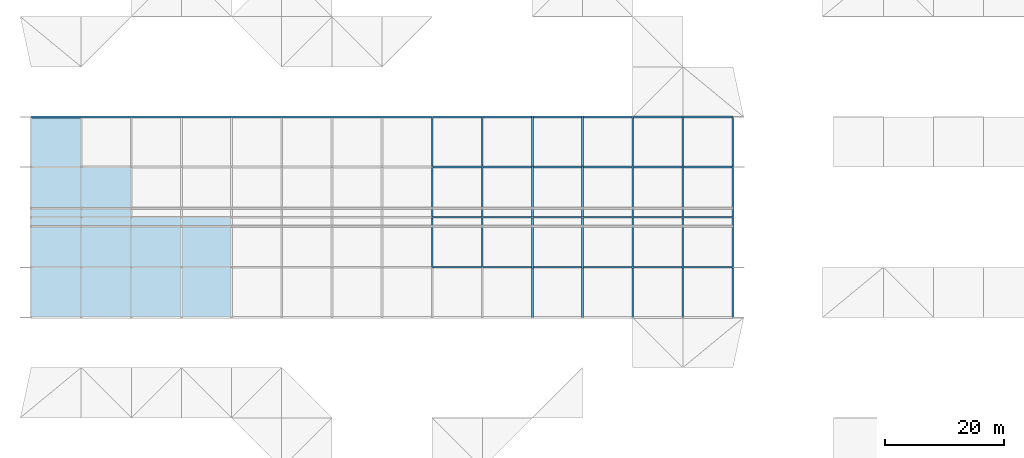
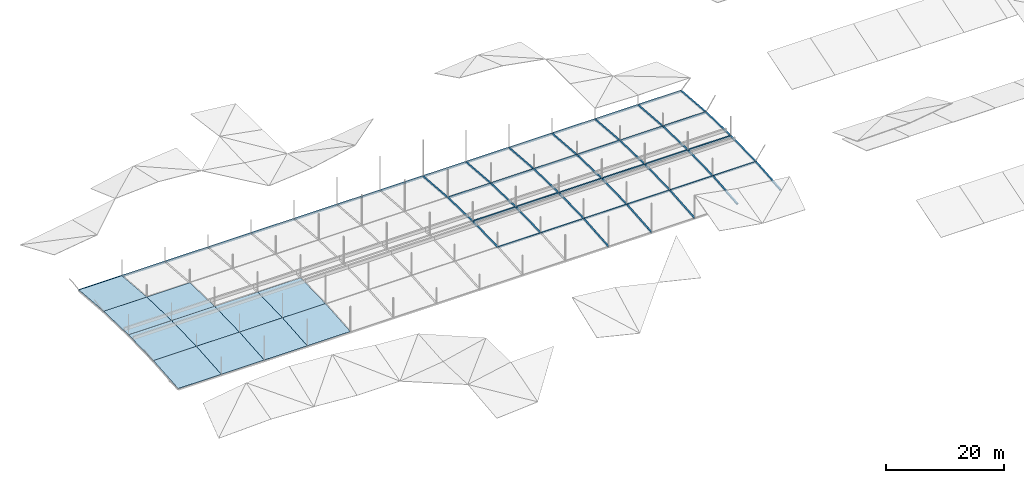
# One storey, part 2 of 37: 58 members, 11 slabs.
"""IFC4 building model written with IfcOpenShell, lengths in metres."""

import ifcopenshell
import ifcopenshell.guid

model = None  # the IFC model being written
_history = None  # IfcOwnerHistory: only IFC2X3 demands one
_inside = {}  # id of a spatial element -> (the spatial element, [elements in it])
_under = {}  # id of a project, library or spatial element -> (it, [spatial elements below it])
_declared = {}  # id of a project -> (the project, [libraries it declares])
_typed = {}  # id of a type object -> (the type object, [elements of that type])
_made_of = {}  # id of a material, layer set ... -> (it, [elements and type objects made of it])


def new_model(schema):
    """Start an empty IFC model of exactly this schema.

    Asked for "IFC4X3", IfcOpenShell would pick the latest addendum, in which some entities
    have other attributes; the version numbers below select the first issue.
    IFC2X3 requires an IfcOwnerHistory on every rooted entity: one is made here for all.
    """
    global model, _history
    if schema == "IFC4X3":
        model = ifcopenshell.file(schema_version=(4, 3, 0, 0))
    else:
        model = ifcopenshell.file(schema=schema)
    _inside.clear()
    _under.clear()
    _declared.clear()
    _typed.clear()
    _made_of.clear()
    _history = None
    if model.schema == "IFC2X3":
        org = make("IfcOrganization", Name="unknown")
        user = make(
            "IfcPersonAndOrganization",
            ThePerson=make("IfcPerson", FamilyName="unknown"),
            TheOrganization=org,
        )
        app = make(
            "IfcApplication",
            ApplicationDeveloper=org,
            Version="unknown",
            ApplicationFullName="unknown",
            ApplicationIdentifier="unknown",
        )
        _history = make(
            "IfcOwnerHistory",
            OwningUser=user,
            OwningApplication=app,
            ChangeAction="ADDED",
            CreationDate=0,
        )
    return model


def make(cls, **values):
    """One entity of the class cls with the attributes given. An attribute that is None is left unset."""
    return model.create_entity(
        cls, **{name: value for name, value in values.items() if value is not None}
    )


def rooted(cls, **values):
    """An entity with a GlobalId (a new one), such as an element, a storey or a relation."""
    return make(cls, GlobalId=ifcopenshell.guid.new(), OwnerHistory=_history, **values)


def si_unit(unit_type, name, prefix=None):
    """IfcSIUnit, for example si_unit("LENGTHUNIT", "METRE", prefix="MILLI")."""
    return make("IfcSIUnit", UnitType=unit_type, Prefix=prefix, Name=name)


def assignment(units):
    """IfcUnitAssignment: the units of a project."""
    return None if units is None else make("IfcUnitAssignment", Units=units)


def point(xyz):
    """IfcCartesianPoint."""
    return None if xyz is None else make("IfcCartesianPoint", Coordinates=xyz)


def direction(xyz):
    """IfcDirection."""
    return None if xyz is None else make("IfcDirection", DirectionRatios=xyz)


def frame(location, z_axis=None, x_axis=None):
    """IfcAxis2Placement3D, a coordinate frame: its origin and axes. An axis left out is left unset."""
    return make(
        "IfcAxis2Placement3D",
        Location=point(location),
        Axis=direction(z_axis),
        RefDirection=direction(x_axis),
    )


def frame_2d(location, x_axis=None):
    """IfcAxis2Placement2D, a coordinate frame in the plane: its origin and x axis."""
    return make(
        "IfcAxis2Placement2D", Location=point(location), RefDirection=direction(x_axis)
    )


def origin():
    """The frame at (0, 0, 0) with its axes left unset."""
    return frame((0.0, 0.0, 0.0))


def origin_2d():
    """The frame at (0, 0) in the plane with its x axis left unset."""
    return frame_2d((0.0, 0.0))


def place(relative_to, where):
    """IfcLocalPlacement: puts the frame where relative to a parent placement (None: the world)."""
    return make(
        "IfcLocalPlacement", PlacementRelTo=relative_to, RelativePlacement=where
    )


def context(
    kind, dimensions, precision=None, world=None, true_north=None, identifier=None
):
    """IfcGeometricRepresentationContext, for example the 3D "Model" context."""
    return make(
        "IfcGeometricRepresentationContext",
        ContextIdentifier=identifier,
        ContextType=kind,
        CoordinateSpaceDimension=dimensions,
        Precision=precision,
        WorldCoordinateSystem=world,
        TrueNorth=true_north,
    )


def subcontext(parent, identifier, kind, view, scale=None):
    """IfcGeometricRepresentationSubContext, for example "Body" below "Model"."""
    return make(
        "IfcGeometricRepresentationSubContext",
        ContextIdentifier=identifier,
        ContextType=kind,
        ParentContext=parent,
        TargetScale=scale,
        TargetView=view,
    )


def project(units=None, contexts=None):
    """IfcProject with its units and contexts."""
    return rooted(
        "IfcProject",
        Name="project",
        RepresentationContexts=contexts,
        UnitsInContext=assignment(units),
    )


def spatial(cls, under=None, at=None, **own):
    """A site, building, storey or space (cls), placed at a placement, below another one or the project."""
    s = rooted(cls, ObjectPlacement=at, **own)
    if under is not None:
        _under.setdefault(under.id(), (under, []))[1].append(s)
    return s


def polyline(points):
    """IfcPolyline through the points."""
    return make("IfcPolyline", Points=[point(p) for p in points])


def profile(cls, at=None, kind="AREA", **sizes):
    """A parametric profile (cls). Its sizes go by their IFC names, for example OverallWidth=200.0."""
    return make(cls, ProfileType=kind, Position=at, **sizes)


def hollow_rectangle(**sizes):
    """IfcRectangleHollowProfileDef."""
    return profile("IfcRectangleHollowProfileDef", **sizes)


def outline(outer, holes=None, kind="AREA"):
    """IfcArbitraryClosedProfileDef: a profile drawn as a closed curve; with holes, ...WithVoids."""
    if holes is None:
        return make("IfcArbitraryClosedProfileDef", ProfileType=kind, OuterCurve=outer)
    return make(
        "IfcArbitraryProfileDefWithVoids",
        ProfileType=kind,
        OuterCurve=outer,
        InnerCurves=holes,
    )


def extrude(swept, where, along, depth):
    """IfcExtrudedAreaSolid: the profile swept, set in the frame where, extruded along a direction by depth."""
    return make(
        "IfcExtrudedAreaSolid",
        SweptArea=swept,
        Position=where,
        ExtrudedDirection=direction(along),
        Depth=depth,
    )


def shape(context_of_items, identifier, shape_type, items):
    """IfcShapeRepresentation: the items that make up one representation, for example the "Body"."""
    return make(
        "IfcShapeRepresentation",
        ContextOfItems=context_of_items,
        RepresentationIdentifier=identifier,
        RepresentationType=shape_type,
        Items=items,
    )


def material(Name=None, Category=None):
    """IfcMaterial."""
    return make("IfcMaterial", Name=Name, Category=Category)


def layer(
    of_material, thickness, ventilated=None, Name=None, Category=None, Priority=None
):
    """IfcMaterialLayer: one layer of a wall or slab, of a material (None: an air gap)."""
    return make(
        "IfcMaterialLayer",
        Material=of_material,
        LayerThickness=thickness,
        IsVentilated=ventilated,
        Name=Name,
        Category=Category,
        Priority=Priority,
    )


def layer_set(layers, Name=None):
    """IfcMaterialLayerSet."""
    return make("IfcMaterialLayerSet", MaterialLayers=layers, LayerSetName=Name)


def material_profile(
    of_material, cross_section, Name=None, Category=None, Priority=None
):
    """IfcMaterialProfile: a cross section and its material."""
    return make(
        "IfcMaterialProfile",
        Name=Name,
        Material=of_material,
        Profile=cross_section,
        Priority=Priority,
        Category=Category,
    )


def profile_set(profiles, Name=None, composite=None):
    """IfcMaterialProfileSet."""
    return make(
        "IfcMaterialProfileSet",
        Name=Name,
        MaterialProfiles=profiles,
        CompositeProfile=composite,
    )


def made_of(thing, what):
    """Note that an element or type object is made of a material, layer set ...; save() writes the relation."""
    if what is not None:
        _made_of.setdefault(what.id(), (what, []))[1].append(thing)
    return thing


def type_object(cls, material=None, **own):
    """A type object (cls), such as IfcWallType, which elements share."""
    return made_of(rooted(cls, **own), material)


def element(
    cls,
    number,
    at=None,
    inside=None,
    cuts=None,
    type_object=None,
    material=None,
    context=None,
    identifier="Body",
    shape_type=None,
    held_by="IfcProductDefinitionShape",
    body=None,
    shapes=None,
    **own,
):
    """One element of the class cls, such as IfcWall. Its Tag is "e" and its number.

    at: its placement. inside: the storey or other place that contains it. cuts: it is an
    opening in that element (IfcRelVoidsElement). A single representation is given by context,
    identifier, shape_type and body (its items); several are given by shapes. held_by: the class
    of the entity that holds the representations. save() writes the other relations.
    """
    e = rooted(cls, Tag="e%d" % number, ObjectPlacement=at, **own)
    if body is not None:
        shapes = [shape(context, identifier, shape_type, body)]
    if shapes is not None:
        e.Representation = make(held_by, Representations=shapes)
    if inside is not None:
        _inside.setdefault(inside.id(), (inside, []))[1].append(e)
    if cuts is not None:
        rooted(
            "IfcRelVoidsElement", RelatingBuildingElement=cuts, RelatedOpeningElement=e
        )
    if type_object is not None:
        _typed.setdefault(type_object.id(), (type_object, []))[1].append(e)
    return made_of(e, material)


def aggregate(whole, parts):
    """IfcRelAggregates: a whole, such as a stair, and the parts it consists of."""
    return rooted("IfcRelAggregates", RelatingObject=whole, RelatedObjects=parts)


def save(model, path):
    """Write the relations noted so far, then the file.

    IfcRelAggregates (storeys below a building ...), IfcRelContainedInSpatialStructure (elements
    in a storey), IfcRelDefinesByType, IfcRelAssociatesMaterial and IfcRelDeclares: one each for
    every whole, place, type object, material and project.
    """
    for whole, parts in _under.values():
        aggregate(whole, parts)
    for where, things in _inside.values():
        rooted(
            "IfcRelContainedInSpatialStructure",
            RelatedElements=things,
            RelatingStructure=where,
        )
    for kind, things in _typed.values():
        rooted("IfcRelDefinesByType", RelatedObjects=things, RelatingType=kind)
    for what, things in _made_of.values():
        rooted("IfcRelAssociatesMaterial", RelatedObjects=things, RelatingMaterial=what)
    for by, libraries in _declared.values():
        rooted("IfcRelDeclares", RelatingContext=by, RelatedDefinitions=libraries)
    model.write(path)


model = new_model("IFC4")

# Units and contexts
model_context = context("Model", 3, precision=1e-05, world=origin(), true_north=direction((0.0, 1.0)))
body_context = subcontext(model_context, "Body", "Model", "MODEL_VIEW")
ifc_project = project(units=[si_unit("LENGTHUNIT", "METRE"), si_unit("AREAUNIT", "SQUARE_METRE"), si_unit("VOLUMEUNIT", "CUBIC_METRE"), si_unit("PLANEANGLEUNIT", "RADIAN"), si_unit("MASSUNIT", "GRAM", prefix="KILO")], contexts=[model_context])

# Site, building, storey
site_placement = place(None, origin())
site = spatial("IfcSite", under=ifc_project, at=site_placement, CompositionType="ELEMENT")
building_placement = place(site_placement, origin())
building = spatial("IfcBuilding", under=site, at=building_placement, Name="Rain Tree Exposition and Congress Centre", CompositionType="ELEMENT")
storey_placement = place(building_placement, frame((0.0, 0.0, 25.0)))
storey = spatial("IfcBuildingStorey", under=building, at=storey_placement, Name="ROOF VAULT LOW", CompositionType="ELEMENT", Elevation=25.0)

# Members
ifc_material_1 = material(Name="Steel S355J2H", Category="steel")
ifc_material_profile = material_profile(ifc_material_1, hollow_rectangle(XDim=0.300048828125, YDim=0.300048828125, WallThickness=0.009033203125, at=origin_2d()), Name="RHS 300x300x9")
ifc_profile_set = profile_set([ifc_material_profile], Name="Steel S355J2H")
member_type = type_object("IfcMemberType", Name="Steel chord member RHS 300x300x9", PredefinedType="CHORD", material=ifc_profile_set)
for number, where, z_axis, x_axis, name in (
    (1, (75.60009765625, 142.800048828125, 1.022705078125), (1.0, 0.0, 0.0), (0.0, 1.0, 0.0), "Top chord 79"),
    (2, (84.0, 142.800048828125, 1.022705078125), (1.0, 0.0, 0.0), (0.0, 1.0, 0.0), "Top chord 80"),
):
    element("IfcMember", number, at=place(storey_placement, frame(where, z_axis=z_axis, x_axis=x_axis)), inside=storey, type_object=member_type, Name=name, PredefinedType="CHORD", context=body_context, shape_type="SweptSolid", body=[
        extrude(hollow_rectangle(XDim=0.300048828125, YDim=0.300048828125, WallThickness=0.009033203125, at=origin_2d()), origin(), (0.0, 0.0, 1.0), 8.39990234375),
    ])
member_1_placement = place(storey_placement, frame((92.39990234375, 142.800048828125, 1.022705078125), z_axis=(1.0, 0.0, 0.0), x_axis=(0.0, 1.0, 0.0)))
element("IfcMember", 3, at=member_1_placement, inside=storey, type_object=member_type, Name="Top chord 81", PredefinedType="CHORD", context=body_context, shape_type="SweptSolid", body=[
    extrude(hollow_rectangle(XDim=0.300048828125, YDim=0.300048828125, WallThickness=0.009033203125, at=origin_2d()), origin(), (0.0, 0.0, 1.0), 8.400146484375),
])
member_2_placement = place(storey_placement, frame((100.800048828125, 142.800048828125, 1.022705078125), z_axis=(1.0, 0.0, 0.0), x_axis=(0.0, 1.0, 0.0)))
element("IfcMember", 4, at=member_2_placement, inside=storey, type_object=member_type, Name="Top chord 82", PredefinedType="CHORD", context=body_context, shape_type="SweptSolid", body=[
    extrude(hollow_rectangle(XDim=0.300048828125, YDim=0.300048828125, WallThickness=0.009033203125, at=origin_2d()), origin(), (0.0, 0.0, 1.0), 8.39990234375),
])
member_3_placement = place(storey_placement, frame((109.199951171875, 142.800048828125, 1.022705078125), z_axis=(1.0, 0.0, 0.0), x_axis=(0.0, 1.0, 0.0)))
element("IfcMember", 5, at=member_3_placement, inside=storey, type_object=member_type, Name="Top chord 83", PredefinedType="CHORD", context=body_context, shape_type="SweptSolid", body=[
    extrude(hollow_rectangle(XDim=0.300048828125, YDim=0.300048828125, WallThickness=0.009033203125, at=origin_2d()), origin(), (0.0, 0.0, 1.0), 8.400146484375),
])
for number, where, z_axis, x_axis, name in (
    (6, (117.60009765625, 142.800048828125, 1.022705078125), (1.0, 0.0, 0.0), (0.0, 1.0, 0.0), "Top chord 84"),
    (7, (75.60009765625, 151.199951171875, 1.25), (1.0, 0.0, 0.0), (0.0, 1.0, 0.0), "Top chord 93"),
    (8, (84.0, 151.199951171875, 1.25), (1.0, 0.0, 0.0), (0.0, 1.0, 0.0), "Top chord 94"),
):
    element("IfcMember", number, at=place(storey_placement, frame(where, z_axis=z_axis, x_axis=x_axis)), inside=storey, type_object=member_type, Name=name, PredefinedType="CHORD", context=body_context, shape_type="SweptSolid", body=[
        extrude(hollow_rectangle(XDim=0.300048828125, YDim=0.300048828125, WallThickness=0.009033203125, at=origin_2d()), origin(), (0.0, 0.0, 1.0), 8.39990234375),
    ])
member_4_placement = place(storey_placement, frame((92.39990234375, 151.199951171875, 1.25), z_axis=(1.0, 0.0, 0.0), x_axis=(0.0, 1.0, 0.0)))
element("IfcMember", 9, at=member_4_placement, inside=storey, type_object=member_type, Name="Top chord 95", PredefinedType="CHORD", context=body_context, shape_type="SweptSolid", body=[
    extrude(hollow_rectangle(XDim=0.300048828125, YDim=0.300048828125, WallThickness=0.009033203125, at=origin_2d()), origin(), (0.0, 0.0, 1.0), 8.400146484375),
])
member_5_placement = place(storey_placement, frame((100.800048828125, 151.199951171875, 1.25), z_axis=(1.0, 0.0, 0.0), x_axis=(0.0, 1.0, 0.0)))
element("IfcMember", 10, at=member_5_placement, inside=storey, type_object=member_type, Name="Top chord 96", PredefinedType="CHORD", context=body_context, shape_type="SweptSolid", body=[
    extrude(hollow_rectangle(XDim=0.300048828125, YDim=0.300048828125, WallThickness=0.009033203125, at=origin_2d()), origin(), (0.0, 0.0, 1.0), 8.39990234375),
])
member_6_placement = place(storey_placement, frame((109.199951171875, 151.199951171875, 1.25), z_axis=(1.0, 0.0, 0.0), x_axis=(0.0, 1.0, 0.0)))
element("IfcMember", 11, at=member_6_placement, inside=storey, type_object=member_type, Name="Top chord 97", PredefinedType="CHORD", context=body_context, shape_type="SweptSolid", body=[
    extrude(hollow_rectangle(XDim=0.300048828125, YDim=0.300048828125, WallThickness=0.009033203125, at=origin_2d()), origin(), (0.0, 0.0, 1.0), 8.400146484375),
])
for number, where, z_axis, x_axis, name in (
    (12, (117.60009765625, 151.199951171875, 1.25), (1.0, 0.0, 0.0), (0.0, 1.0, 0.0), "Top chord 98"),
    (13, (75.60009765625, 159.60009765625, 1.022705078125), (1.0, 0.0, 0.0), (0.0, 1.0, 0.0), "Top chord 107"),
    (14, (84.0, 159.60009765625, 1.022705078125), (1.0, 0.0, 0.0), (0.0, 1.0, 0.0), "Top chord 108"),
):
    element("IfcMember", number, at=place(storey_placement, frame(where, z_axis=z_axis, x_axis=x_axis)), inside=storey, type_object=member_type, Name=name, PredefinedType="CHORD", context=body_context, shape_type="SweptSolid", body=[
        extrude(hollow_rectangle(XDim=0.300048828125, YDim=0.300048828125, WallThickness=0.009033203125, at=origin_2d()), origin(), (0.0, 0.0, 1.0), 8.39990234375),
    ])
member_7_placement = place(storey_placement, frame((92.39990234375, 159.60009765625, 1.022705078125), z_axis=(1.0, 0.0, 0.0), x_axis=(0.0, 1.0, 0.0)))
element("IfcMember", 15, at=member_7_placement, inside=storey, type_object=member_type, Name="Top chord 109", PredefinedType="CHORD", context=body_context, shape_type="SweptSolid", body=[
    extrude(hollow_rectangle(XDim=0.300048828125, YDim=0.300048828125, WallThickness=0.009033203125, at=origin_2d()), origin(), (0.0, 0.0, 1.0), 8.400146484375),
])
member_8_placement = place(storey_placement, frame((100.800048828125, 159.60009765625, 1.022705078125), z_axis=(1.0, 0.0, 0.0), x_axis=(0.0, 1.0, 0.0)))
element("IfcMember", 16, at=member_8_placement, inside=storey, type_object=member_type, Name="Top chord 110", PredefinedType="CHORD", context=body_context, shape_type="SweptSolid", body=[
    extrude(hollow_rectangle(XDim=0.300048828125, YDim=0.300048828125, WallThickness=0.009033203125, at=origin_2d()), origin(), (0.0, 0.0, 1.0), 8.39990234375),
])
member_9_placement = place(storey_placement, frame((109.199951171875, 159.60009765625, 1.022705078125), z_axis=(1.0, 0.0, 0.0), x_axis=(0.0, 1.0, 0.0)))
element("IfcMember", 17, at=member_9_placement, inside=storey, type_object=member_type, Name="Top chord 111", PredefinedType="CHORD", context=body_context, shape_type="SweptSolid", body=[
    extrude(hollow_rectangle(XDim=0.300048828125, YDim=0.300048828125, WallThickness=0.009033203125, at=origin_2d()), origin(), (0.0, 0.0, 1.0), 8.400146484375),
])
member_10_placement = place(storey_placement, frame((117.60009765625, 159.60009765625, 1.022705078125), z_axis=(1.0, 0.0, 0.0), x_axis=(0.0, 1.0, 0.0)))
element("IfcMember", 18, at=member_10_placement, inside=storey, type_object=member_type, Name="Top chord 112", PredefinedType="CHORD", context=body_context, shape_type="SweptSolid", body=[
    extrude(hollow_rectangle(XDim=0.300048828125, YDim=0.300048828125, WallThickness=0.009033203125, at=origin_2d()), origin(), (0.0, 0.0, 1.0), 8.39990234375),
])
member_11_placement = place(storey_placement, frame((8.39990234375, 168.0, 0.339111328125), z_axis=(1.0, 0.0, 0.0), x_axis=(0.0, 1.0, 0.0)))
element("IfcMember", 19, at=member_11_placement, inside=storey, type_object=member_type, Name="Top chord 113", PredefinedType="CHORD", context=body_context, shape_type="SweptSolid", body=[
    extrude(hollow_rectangle(XDim=0.300048828125, YDim=0.300048828125, WallThickness=0.009033203125, at=origin_2d()), origin(), (0.0, 0.0, 1.0), 8.400146484375),
])
member_12_placement = place(storey_placement, frame((16.800048828125, 168.0, 0.339111328125), z_axis=(1.0, 0.0, 0.0), x_axis=(0.0, 1.0, 0.0)))
element("IfcMember", 20, at=member_12_placement, inside=storey, type_object=member_type, Name="Top chord 114", PredefinedType="CHORD", context=body_context, shape_type="SweptSolid", body=[
    extrude(hollow_rectangle(XDim=0.300048828125, YDim=0.300048828125, WallThickness=0.009033203125, at=origin_2d()), origin(), (0.0, 0.0, 1.0), 8.39990234375),
])
member_13_placement = place(storey_placement, frame((25.199951171875, 168.0, 0.339111328125), z_axis=(1.0, 0.0, 0.0), x_axis=(0.0, 1.0, 0.0)))
element("IfcMember", 21, at=member_13_placement, inside=storey, type_object=member_type, Name="Top chord 115", PredefinedType="CHORD", context=body_context, shape_type="SweptSolid", body=[
    extrude(hollow_rectangle(XDim=0.300048828125, YDim=0.300048828125, WallThickness=0.009033203125, at=origin_2d()), origin(), (0.0, 0.0, 1.0), 8.400146484375),
])
for number, where, z_axis, x_axis, name in (
    (22, (33.60009765625, 168.0, 0.339111328125), (1.0, 0.0, 0.0), (0.0, 1.0, 0.0), "Top chord 116"),
    (23, (42.0, 168.0, 0.339111328125), (1.0, 0.0, 0.0), (0.0, 1.0, 0.0), "Top chord 117"),
):
    element("IfcMember", number, at=place(storey_placement, frame(where, z_axis=z_axis, x_axis=x_axis)), inside=storey, type_object=member_type, Name=name, PredefinedType="CHORD", context=body_context, shape_type="SweptSolid", body=[
        extrude(hollow_rectangle(XDim=0.300048828125, YDim=0.300048828125, WallThickness=0.009033203125, at=origin_2d()), origin(), (0.0, 0.0, 1.0), 8.39990234375),
    ])
member_14_placement = place(storey_placement, frame((50.39990234375, 168.0, 0.339111328125), z_axis=(1.0, 0.0, 0.0), x_axis=(0.0, 1.0, 0.0)))
element("IfcMember", 24, at=member_14_placement, inside=storey, type_object=member_type, Name="Top chord 118", PredefinedType="CHORD", context=body_context, shape_type="SweptSolid", body=[
    extrude(hollow_rectangle(XDim=0.300048828125, YDim=0.300048828125, WallThickness=0.009033203125, at=origin_2d()), origin(), (0.0, 0.0, 1.0), 8.400146484375),
])
member_15_placement = place(storey_placement, frame((58.800048828125, 168.0, 0.339111328125), z_axis=(1.0, 0.0, 0.0), x_axis=(0.0, 1.0, 0.0)))
element("IfcMember", 25, at=member_15_placement, inside=storey, type_object=member_type, Name="Top chord 119", PredefinedType="CHORD", context=body_context, shape_type="SweptSolid", body=[
    extrude(hollow_rectangle(XDim=0.300048828125, YDim=0.300048828125, WallThickness=0.009033203125, at=origin_2d()), origin(), (0.0, 0.0, 1.0), 8.39990234375),
])
member_16_placement = place(storey_placement, frame((67.199951171875, 168.0, 0.339111328125), z_axis=(1.0, 0.0, 0.0), x_axis=(0.0, 1.0, 0.0)))
element("IfcMember", 26, at=member_16_placement, inside=storey, type_object=member_type, Name="Top chord 120", PredefinedType="CHORD", context=body_context, shape_type="SweptSolid", body=[
    extrude(hollow_rectangle(XDim=0.300048828125, YDim=0.300048828125, WallThickness=0.009033203125, at=origin_2d()), origin(), (0.0, 0.0, 1.0), 8.400146484375),
])
for number, where, z_axis, x_axis, name in (
    (27, (75.60009765625, 168.0, 0.339111328125), (1.0, 0.0, 0.0), (0.0, 1.0, 0.0), "Top chord 121"),
    (28, (84.0, 168.0, 0.339111328125), (1.0, 0.0, 0.0), (0.0, 1.0, 0.0), "Top chord 122"),
):
    element("IfcMember", number, at=place(storey_placement, frame(where, z_axis=z_axis, x_axis=x_axis)), inside=storey, type_object=member_type, Name=name, PredefinedType="CHORD", context=body_context, shape_type="SweptSolid", body=[
        extrude(hollow_rectangle(XDim=0.300048828125, YDim=0.300048828125, WallThickness=0.009033203125, at=origin_2d()), origin(), (0.0, 0.0, 1.0), 8.39990234375),
    ])
member_17_placement = place(storey_placement, frame((92.39990234375, 168.0, 0.339111328125), z_axis=(1.0, 0.0, 0.0), x_axis=(0.0, 1.0, 0.0)))
element("IfcMember", 29, at=member_17_placement, inside=storey, type_object=member_type, Name="Top chord 123", PredefinedType="CHORD", context=body_context, shape_type="SweptSolid", body=[
    extrude(hollow_rectangle(XDim=0.300048828125, YDim=0.300048828125, WallThickness=0.009033203125, at=origin_2d()), origin(), (0.0, 0.0, 1.0), 8.400146484375),
])
member_18_placement = place(storey_placement, frame((100.800048828125, 168.0, 0.339111328125), z_axis=(1.0, 0.0, 0.0), x_axis=(0.0, 1.0, 0.0)))
element("IfcMember", 30, at=member_18_placement, inside=storey, type_object=member_type, Name="Top chord 124", PredefinedType="CHORD", context=body_context, shape_type="SweptSolid", body=[
    extrude(hollow_rectangle(XDim=0.300048828125, YDim=0.300048828125, WallThickness=0.009033203125, at=origin_2d()), origin(), (0.0, 0.0, 1.0), 8.39990234375),
])
member_19_placement = place(storey_placement, frame((109.199951171875, 168.0, 0.339111328125), z_axis=(1.0, 0.0, 0.0), x_axis=(0.0, 1.0, 0.0)))
element("IfcMember", 31, at=member_19_placement, inside=storey, type_object=member_type, Name="Top chord 125", PredefinedType="CHORD", context=body_context, shape_type="SweptSolid", body=[
    extrude(hollow_rectangle(XDim=0.300048828125, YDim=0.300048828125, WallThickness=0.009033203125, at=origin_2d()), origin(), (0.0, 0.0, 1.0), 8.400146484375),
])
member_20_placement = place(storey_placement, frame((117.60009765625, 168.0, 0.339111328125), z_axis=(1.0, 0.0, 0.0), x_axis=(0.0, 1.0, 0.0)))
element("IfcMember", 32, at=member_20_placement, inside=storey, type_object=member_type, Name="Top chord 126", PredefinedType="CHORD", context=body_context, shape_type="SweptSolid", body=[
    extrude(hollow_rectangle(XDim=0.300048828125, YDim=0.300048828125, WallThickness=0.009033203125, at=origin_2d()), origin(), (0.0, 0.0, 1.0), 8.39990234375),
])
member_21_placement = place(storey_placement, frame((75.60009765625, 142.800048828125, 1.022705078125), z_axis=(0.0, 0.999634099854, 0.027049332877), x_axis=(-1.0, 0.0, 0.0)))
element("IfcMember", 33, at=member_21_placement, inside=storey, type_object=member_type, Name="Top chord 284", PredefinedType="CHORD", context=body_context, shape_type="SweptSolid", body=[
    extrude(hollow_rectangle(XDim=0.300048828125, YDim=0.300048828125, WallThickness=0.009033203125, at=origin_2d()), origin(), (0.0, 0.0, 1.0), 8.403076171875),
])
member_22_placement = place(storey_placement, frame((75.60009765625, 151.199951171875, 1.25), z_axis=(0.0, 0.999634121111, -0.027048547294), x_axis=(-1.0, 0.0, 0.0)))
element("IfcMember", 34, at=member_22_placement, inside=storey, type_object=member_type, Name="Top chord 285", PredefinedType="CHORD", context=body_context, shape_type="SweptSolid", body=[
    extrude(hollow_rectangle(XDim=0.300048828125, YDim=0.300048828125, WallThickness=0.009033203125, at=origin_2d()), origin(), (0.0, 0.0, 1.0), 8.4033203125),
])
member_23_placement = place(storey_placement, frame((75.60009765625, 159.60009765625, 1.022705078125), z_axis=(0.0, 0.996704912106, -0.081112996393), x_axis=(-1.0, 0.0, 0.0)))
element("IfcMember", 35, at=member_23_placement, inside=storey, type_object=member_type, Name="Top chord 286", PredefinedType="CHORD", context=body_context, shape_type="SweptSolid", body=[
    extrude(hollow_rectangle(XDim=0.300048828125, YDim=0.300048828125, WallThickness=0.009033203125, at=origin_2d()), origin(), (0.0, 0.0, 1.0), 8.427734375),
])
member_24_placement = place(storey_placement, frame((84.0, 142.800048828125, 1.022705078125), z_axis=(0.0, 0.999634099854, 0.027049332877), x_axis=(-1.0, 0.0, 0.0)))
element("IfcMember", 36, at=member_24_placement, inside=storey, type_object=member_type, Name="Top chord 296", PredefinedType="CHORD", context=body_context, shape_type="SweptSolid", body=[
    extrude(hollow_rectangle(XDim=0.300048828125, YDim=0.300048828125, WallThickness=0.009033203125, at=origin_2d()), origin(), (0.0, 0.0, 1.0), 8.403076171875),
])
member_25_placement = place(storey_placement, frame((84.0, 151.199951171875, 1.25), z_axis=(0.0, 0.999634121111, -0.027048547294), x_axis=(-1.0, 0.0, 0.0)))
element("IfcMember", 37, at=member_25_placement, inside=storey, type_object=member_type, Name="Top chord 297", PredefinedType="CHORD", context=body_context, shape_type="SweptSolid", body=[
    extrude(hollow_rectangle(XDim=0.300048828125, YDim=0.300048828125, WallThickness=0.009033203125, at=origin_2d()), origin(), (0.0, 0.0, 1.0), 8.4033203125),
])
member_26_placement = place(storey_placement, frame((84.0, 159.60009765625, 1.022705078125), z_axis=(0.0, 0.996704912106, -0.081112996393), x_axis=(-1.0, 0.0, 0.0)))
element("IfcMember", 38, at=member_26_placement, inside=storey, type_object=member_type, Name="Top chord 298", PredefinedType="CHORD", context=body_context, shape_type="SweptSolid", body=[
    extrude(hollow_rectangle(XDim=0.300048828125, YDim=0.300048828125, WallThickness=0.009033203125, at=origin_2d()), origin(), (0.0, 0.0, 1.0), 8.427734375),
])
member_27_placement = place(storey_placement, frame((92.39990234375, 134.39990234375, 0.339111328125), z_axis=(0.0, 0.996705102693, 0.081110654447), x_axis=(-1.0, 0.0, 0.0)))
element("IfcMember", 39, at=member_27_placement, inside=storey, type_object=member_type, Name="Top chord 307", PredefinedType="CHORD", context=body_context, shape_type="SweptSolid", body=[
    extrude(hollow_rectangle(XDim=0.300048828125, YDim=0.300048828125, WallThickness=0.009033203125, at=origin_2d()), origin(), (0.0, 0.0, 1.0), 8.427978515625),
])
member_28_placement = place(storey_placement, frame((92.39990234375, 142.800048828125, 1.022705078125), z_axis=(0.0, 0.999634099854, 0.027049332877), x_axis=(-1.0, 0.0, 0.0)))
element("IfcMember", 40, at=member_28_placement, inside=storey, type_object=member_type, Name="Top chord 308", PredefinedType="CHORD", context=body_context, shape_type="SweptSolid", body=[
    extrude(hollow_rectangle(XDim=0.300048828125, YDim=0.300048828125, WallThickness=0.009033203125, at=origin_2d()), origin(), (0.0, 0.0, 1.0), 8.403076171875),
])
member_29_placement = place(storey_placement, frame((92.39990234375, 151.199951171875, 1.25), z_axis=(0.0, 0.999634121111, -0.027048547294), x_axis=(-1.0, 0.0, 0.0)))
element("IfcMember", 41, at=member_29_placement, inside=storey, type_object=member_type, Name="Top chord 309", PredefinedType="CHORD", context=body_context, shape_type="SweptSolid", body=[
    extrude(hollow_rectangle(XDim=0.300048828125, YDim=0.300048828125, WallThickness=0.009033203125, at=origin_2d()), origin(), (0.0, 0.0, 1.0), 8.4033203125),
])
member_30_placement = place(storey_placement, frame((92.39990234375, 159.60009765625, 1.022705078125), z_axis=(0.0, 0.996704912106, -0.081112996393), x_axis=(-1.0, 0.0, 0.0)))
element("IfcMember", 42, at=member_30_placement, inside=storey, type_object=member_type, Name="Top chord 310", PredefinedType="CHORD", context=body_context, shape_type="SweptSolid", body=[
    extrude(hollow_rectangle(XDim=0.300048828125, YDim=0.300048828125, WallThickness=0.009033203125, at=origin_2d()), origin(), (0.0, 0.0, 1.0), 8.427734375),
])
member_31_placement = place(storey_placement, frame((100.800048828125, 134.39990234375, 0.339111328125), z_axis=(0.0, 0.996705102693, 0.081110654447), x_axis=(-1.0, 0.0, 0.0)))
element("IfcMember", 43, at=member_31_placement, inside=storey, type_object=member_type, Name="Top chord 319", PredefinedType="CHORD", context=body_context, shape_type="SweptSolid", body=[
    extrude(hollow_rectangle(XDim=0.300048828125, YDim=0.300048828125, WallThickness=0.009033203125, at=origin_2d()), origin(), (0.0, 0.0, 1.0), 8.427978515625),
])
member_32_placement = place(storey_placement, frame((100.800048828125, 142.800048828125, 1.022705078125), z_axis=(0.0, 0.999634099854, 0.027049332877), x_axis=(-1.0, 0.0, 0.0)))
element("IfcMember", 44, at=member_32_placement, inside=storey, type_object=member_type, Name="Top chord 320", PredefinedType="CHORD", context=body_context, shape_type="SweptSolid", body=[
    extrude(hollow_rectangle(XDim=0.300048828125, YDim=0.300048828125, WallThickness=0.009033203125, at=origin_2d()), origin(), (0.0, 0.0, 1.0), 8.403076171875),
])
member_33_placement = place(storey_placement, frame((100.800048828125, 151.199951171875, 1.25), z_axis=(0.0, 0.999634121111, -0.027048547294), x_axis=(-1.0, 0.0, 0.0)))
element("IfcMember", 45, at=member_33_placement, inside=storey, type_object=member_type, Name="Top chord 321", PredefinedType="CHORD", context=body_context, shape_type="SweptSolid", body=[
    extrude(hollow_rectangle(XDim=0.300048828125, YDim=0.300048828125, WallThickness=0.009033203125, at=origin_2d()), origin(), (0.0, 0.0, 1.0), 8.4033203125),
])
member_34_placement = place(storey_placement, frame((100.800048828125, 159.60009765625, 1.022705078125), z_axis=(0.0, 0.996704912106, -0.081112996393), x_axis=(-1.0, 0.0, 0.0)))
element("IfcMember", 46, at=member_34_placement, inside=storey, type_object=member_type, Name="Top chord 322", PredefinedType="CHORD", context=body_context, shape_type="SweptSolid", body=[
    extrude(hollow_rectangle(XDim=0.300048828125, YDim=0.300048828125, WallThickness=0.009033203125, at=origin_2d()), origin(), (0.0, 0.0, 1.0), 8.427734375),
])
member_35_placement = place(storey_placement, frame((109.199951171875, 134.39990234375, 0.339111328125), z_axis=(0.0, 0.996705102693, 0.081110654447), x_axis=(-1.0, 0.0, 0.0)))
element("IfcMember", 47, at=member_35_placement, inside=storey, type_object=member_type, Name="Top chord 331", PredefinedType="CHORD", context=body_context, shape_type="SweptSolid", body=[
    extrude(hollow_rectangle(XDim=0.300048828125, YDim=0.300048828125, WallThickness=0.009033203125, at=origin_2d()), origin(), (0.0, 0.0, 1.0), 8.427978515625),
])
member_36_placement = place(storey_placement, frame((109.199951171875, 142.800048828125, 1.022705078125), z_axis=(0.0, 0.999634099854, 0.027049332877), x_axis=(-1.0, 0.0, 0.0)))
element("IfcMember", 48, at=member_36_placement, inside=storey, type_object=member_type, Name="Top chord 332", PredefinedType="CHORD", context=body_context, shape_type="SweptSolid", body=[
    extrude(hollow_rectangle(XDim=0.300048828125, YDim=0.300048828125, WallThickness=0.009033203125, at=origin_2d()), origin(), (0.0, 0.0, 1.0), 8.403076171875),
])
member_37_placement = place(storey_placement, frame((109.199951171875, 151.199951171875, 1.25), z_axis=(0.0, 0.999634121111, -0.027048547294), x_axis=(-1.0, 0.0, 0.0)))
element("IfcMember", 49, at=member_37_placement, inside=storey, type_object=member_type, Name="Top chord 333", PredefinedType="CHORD", context=body_context, shape_type="SweptSolid", body=[
    extrude(hollow_rectangle(XDim=0.300048828125, YDim=0.300048828125, WallThickness=0.009033203125, at=origin_2d()), origin(), (0.0, 0.0, 1.0), 8.4033203125),
])
member_38_placement = place(storey_placement, frame((109.199951171875, 159.60009765625, 1.022705078125), z_axis=(0.0, 0.996704912106, -0.081112996393), x_axis=(-1.0, 0.0, 0.0)))
element("IfcMember", 50, at=member_38_placement, inside=storey, type_object=member_type, Name="Top chord 334", PredefinedType="CHORD", context=body_context, shape_type="SweptSolid", body=[
    extrude(hollow_rectangle(XDim=0.300048828125, YDim=0.300048828125, WallThickness=0.009033203125, at=origin_2d()), origin(), (0.0, 0.0, 1.0), 8.427734375),
])
member_39_placement = place(storey_placement, frame((117.60009765625, 134.39990234375, 0.339111328125), z_axis=(0.0, 0.996705102693, 0.081110654447), x_axis=(-1.0, 0.0, 0.0)))
element("IfcMember", 51, at=member_39_placement, inside=storey, type_object=member_type, Name="Top chord 343", PredefinedType="CHORD", context=body_context, shape_type="SweptSolid", body=[
    extrude(hollow_rectangle(XDim=0.300048828125, YDim=0.300048828125, WallThickness=0.009033203125, at=origin_2d()), origin(), (0.0, 0.0, 1.0), 8.427978515625),
])
member_40_placement = place(storey_placement, frame((117.60009765625, 142.800048828125, 1.022705078125), z_axis=(0.0, 0.999634099854, 0.027049332877), x_axis=(-1.0, 0.0, 0.0)))
element("IfcMember", 52, at=member_40_placement, inside=storey, type_object=member_type, Name="Top chord 344", PredefinedType="CHORD", context=body_context, shape_type="SweptSolid", body=[
    extrude(hollow_rectangle(XDim=0.300048828125, YDim=0.300048828125, WallThickness=0.009033203125, at=origin_2d()), origin(), (0.0, 0.0, 1.0), 8.403076171875),
])
member_41_placement = place(storey_placement, frame((117.60009765625, 151.199951171875, 1.25), z_axis=(0.0, 0.999634121111, -0.027048547294), x_axis=(-1.0, 0.0, 0.0)))
element("IfcMember", 53, at=member_41_placement, inside=storey, type_object=member_type, Name="Top chord 345", PredefinedType="CHORD", context=body_context, shape_type="SweptSolid", body=[
    extrude(hollow_rectangle(XDim=0.300048828125, YDim=0.300048828125, WallThickness=0.009033203125, at=origin_2d()), origin(), (0.0, 0.0, 1.0), 8.4033203125),
])
member_42_placement = place(storey_placement, frame((117.60009765625, 159.60009765625, 1.022705078125), z_axis=(0.0, 0.996704912106, -0.081112996393), x_axis=(-1.0, 0.0, 0.0)))
element("IfcMember", 54, at=member_42_placement, inside=storey, type_object=member_type, Name="Top chord 346", PredefinedType="CHORD", context=body_context, shape_type="SweptSolid", body=[
    extrude(hollow_rectangle(XDim=0.300048828125, YDim=0.300048828125, WallThickness=0.009033203125, at=origin_2d()), origin(), (0.0, 0.0, 1.0), 8.427734375),
])
member_43_placement = place(storey_placement, frame((126.0, 134.39990234375, 0.339111328125), z_axis=(0.0, 0.996705102693, 0.081110654447), x_axis=(-1.0, 0.0, 0.0)))
element("IfcMember", 55, at=member_43_placement, inside=storey, type_object=member_type, Name="Top chord 355", PredefinedType="CHORD", context=body_context, shape_type="SweptSolid", body=[
    extrude(hollow_rectangle(XDim=0.300048828125, YDim=0.300048828125, WallThickness=0.009033203125, at=origin_2d()), origin(), (0.0, 0.0, 1.0), 8.427978515625),
])
member_44_placement = place(storey_placement, frame((126.0, 142.800048828125, 1.022705078125), z_axis=(0.0, 0.999634099854, 0.027049332877), x_axis=(-1.0, 0.0, 0.0)))
element("IfcMember", 56, at=member_44_placement, inside=storey, type_object=member_type, Name="Top chord 356", PredefinedType="CHORD", context=body_context, shape_type="SweptSolid", body=[
    extrude(hollow_rectangle(XDim=0.300048828125, YDim=0.300048828125, WallThickness=0.009033203125, at=origin_2d()), origin(), (0.0, 0.0, 1.0), 8.403076171875),
])
member_45_placement = place(storey_placement, frame((126.0, 151.199951171875, 1.25), z_axis=(0.0, 0.999634121111, -0.027048547294), x_axis=(-1.0, 0.0, 0.0)))
element("IfcMember", 57, at=member_45_placement, inside=storey, type_object=member_type, Name="Top chord 357", PredefinedType="CHORD", context=body_context, shape_type="SweptSolid", body=[
    extrude(hollow_rectangle(XDim=0.300048828125, YDim=0.300048828125, WallThickness=0.009033203125, at=origin_2d()), origin(), (0.0, 0.0, 1.0), 8.4033203125),
])
member_46_placement = place(storey_placement, frame((126.0, 159.60009765625, 1.022705078125), z_axis=(0.0, 0.996704912106, -0.081112996393), x_axis=(-1.0, 0.0, 0.0)))
element("IfcMember", 58, at=member_46_placement, inside=storey, type_object=member_type, Name="Top chord 358", PredefinedType="CHORD", context=body_context, shape_type="SweptSolid", body=[
    extrude(hollow_rectangle(XDim=0.300048828125, YDim=0.300048828125, WallThickness=0.009033203125, at=origin_2d()), origin(), (0.0, 0.0, 1.0), 8.427734375),
])

# Slabs
ifc_material_2 = material(Name="Insulated roof panel, S350GD+Z steel skins", Category="steel")
ifc_layer_1 = layer(ifc_material_2, 0.1201171875)
ifc_layer_set_1 = layer_set([ifc_layer_1], Name="Insulated roof panel, S350GD+Z steel skins")
slab_type_1 = type_object("IfcSlabType", Name="Vault roof panel 120", PredefinedType="ROOF", material=ifc_layer_set_1)
for number, where, z_axis, x_axis, name in (
    (59, (8.39990234375, 134.39990234375, 0.4892578125), (0.0, -0.081110654447, 0.996705102693), (1.0, 0.0, 0.0), "Vault roof panel 57"),
    (60, (25.199951171875, 134.39990234375, 0.4892578125), (0.0, -0.081110654447, 0.996705102693), (1.0, 0.0, 0.0), "Vault roof panel 59"),
):
    element("IfcSlab", number, at=place(storey_placement, frame(where, z_axis=z_axis, x_axis=x_axis)), inside=storey, type_object=slab_type_1, Name=name, PredefinedType="ROOF", context=body_context, shape_type="SweptSolid", body=[
        extrude(outline(polyline([(0.0, 0.0), (8.400146484375, 0.0), (8.400146484375, 8.427915600787466), (0.0, 8.427915600787466), (0.0, 0.0)])), origin(), (0.0, 0.0, -1.0), 0.1201171875),
    ])
slab_1_placement = place(storey_placement, frame((8.39990234375, 142.800048828125, 1.1728515625), z_axis=(0.0, -0.027020300037, 0.999634885038), x_axis=(1.0, 0.0, 0.0)))
element("IfcSlab", 61, at=slab_1_placement, inside=storey, type_object=slab_type_1, Name="Vault roof panel 71", PredefinedType="ROOF", context=body_context, shape_type="SweptSolid", body=[
    extrude(outline(polyline([(0.0, 0.0), (8.400146484375, 0.0), (8.400146484375, 8.402970393962065), (0.0, 8.402970393962065), (0.0, 0.0)])), origin(), (0.0, 0.0, -1.0), 0.1201171875),
])
slab_2_placement = place(storey_placement, frame((16.800048828125, 142.800048828125, 1.1728515625), z_axis=(0.0, -0.027020300037, 0.999634885038), x_axis=(1.0, 0.0, 0.0)))
element("IfcSlab", 62, at=slab_2_placement, inside=storey, type_object=slab_type_1, Name="Vault roof panel 72", PredefinedType="ROOF", context=body_context, shape_type="SweptSolid", body=[
    extrude(outline(polyline([(0.0, 0.0), (8.39990234375, 0.0), (8.39990234375, 8.402970393962063), (0.0, 8.402970393962063), (0.0, 0.0)])), origin(), (0.0, 0.0, -1.0), 0.1201171875),
])
slab_3_placement = place(storey_placement, frame((25.199951171875, 142.800048828125, 1.1728515625), z_axis=(0.0, -0.027020300037, 0.999634885038), x_axis=(1.0, 0.0, 0.0)))
element("IfcSlab", 63, at=slab_3_placement, inside=storey, type_object=slab_type_1, Name="Vault roof panel 73", PredefinedType="ROOF", context=body_context, shape_type="SweptSolid", body=[
    extrude(outline(polyline([(0.0, 0.0), (8.400146484375, 0.0), (8.400146484375, 8.402970393962065), (0.0, 8.402970393962065), (0.0, 0.0)])), origin(), (0.0, 0.0, -1.0), 0.1201171875),
])
slab_4_placement = place(storey_placement, frame((33.60009765625, 142.800048828125, 1.1728515625), z_axis=(0.0, -0.027020300037, 0.999634885038), x_axis=(1.0, 0.0, 0.0)))
element("IfcSlab", 64, at=slab_4_placement, inside=storey, type_object=slab_type_1, Name="Vault roof panel 74", PredefinedType="ROOF", context=body_context, shape_type="SweptSolid", body=[
    extrude(outline(polyline([(0.0, 0.0), (8.39990234375, 0.0), (8.39990234375, 8.402970393962063), (0.0, 8.402970393962063), (0.0, 0.0)])), origin(), (0.0, 0.0, -1.0), 0.1201171875),
])
slab_5_placement = place(storey_placement, frame((8.39990234375, 151.199951171875, 1.39990234375), z_axis=(0.0, 0.027019515297, 0.99963490625), x_axis=(1.0, 0.0, 0.0)))
element("IfcSlab", 65, at=slab_5_placement, inside=storey, type_object=slab_type_1, Name="Vault roof panel 85", PredefinedType="ROOF", context=body_context, shape_type="SweptSolid", body=[
    extrude(outline(polyline([(0.0, 0.0), (8.400146484375, 0.0), (8.400146484375, 8.40321444545026), (0.0, 8.40321444545026), (0.0, 0.0)])), origin(), (0.0, 0.0, -1.0), 0.1201171875),
])
slab_6_placement = place(storey_placement, frame((16.800048828125, 151.199951171875, 1.39990234375), z_axis=(0.0, 0.027019515297, 0.99963490625), x_axis=(1.0, 0.0, 0.0)))
element("IfcSlab", 66, at=slab_6_placement, inside=storey, type_object=slab_type_1, Name="Vault roof panel 86", PredefinedType="ROOF", context=body_context, shape_type="SweptSolid", body=[
    extrude(outline(polyline([(0.0, 0.0), (8.39990234375, 0.0), (8.39990234375, 8.40321444545026), (0.0, 8.40321444545026), (0.0, 0.0)])), origin(), (0.0, 0.0, -1.0), 0.1201171875),
])
slab_7_placement = place(storey_placement, frame((8.39990234375, 159.60009765625, 1.1728515625), z_axis=(0.0, 0.081112996393, 0.996704912106), x_axis=(1.0, 0.0, 0.0)))
element("IfcSlab", 67, at=slab_7_placement, inside=storey, type_object=slab_type_1, Name="Vault roof panel 99", PredefinedType="ROOF", context=body_context, shape_type="SweptSolid", body=[
    extrude(outline(polyline([(0.0, 0.0), (8.400146484375, 0.0), (8.400146484375, 8.427672264604018), (0.0, 8.427672264604018), (0.0, 0.0)])), origin(), (0.0, 0.0, -1.0), 0.1201171875),
])
ifc_material_3 = material(Name="Safety glass in S355 steel frame, S355J2H tubes", Category="steel")
ifc_layer_2 = layer(ifc_material_3, 0.06005859375)
ifc_layer_set_2 = layer_set([ifc_layer_2], Name="Safety glass in S355 steel frame, S355J2H tubes")
slab_type_2 = type_object("IfcSlabType", Name="Vault rooflight panel 60", PredefinedType="ROOF", material=ifc_layer_set_2)
for number, where, z_axis, x_axis, name in (
    (68, (16.800048828125, 134.39990234375, 0.4892578125), (0.0, -0.081110654447, 0.996705102693), (1.0, 0.0, 0.0), "Vault rooflight panel 58"),
    (69, (33.60009765625, 134.39990234375, 0.4892578125), (0.0, -0.081110654447, 0.996705102693), (1.0, 0.0, 0.0), "Vault rooflight panel 60"),
):
    element("IfcSlab", number, at=place(storey_placement, frame(where, z_axis=z_axis, x_axis=x_axis)), inside=storey, type_object=slab_type_2, Name=name, PredefinedType="ROOF", context=body_context, shape_type="SweptSolid", body=[
        extrude(outline(polyline([(0.0, 0.0), (8.39990234375, 0.0), (8.39990234375, 8.427915600787466), (0.0, 8.427915600787466), (0.0, 0.0)])), origin(), (0.0, 0.0, -1.0), 0.06005859375),
    ])

save(model, "model.ifc")
